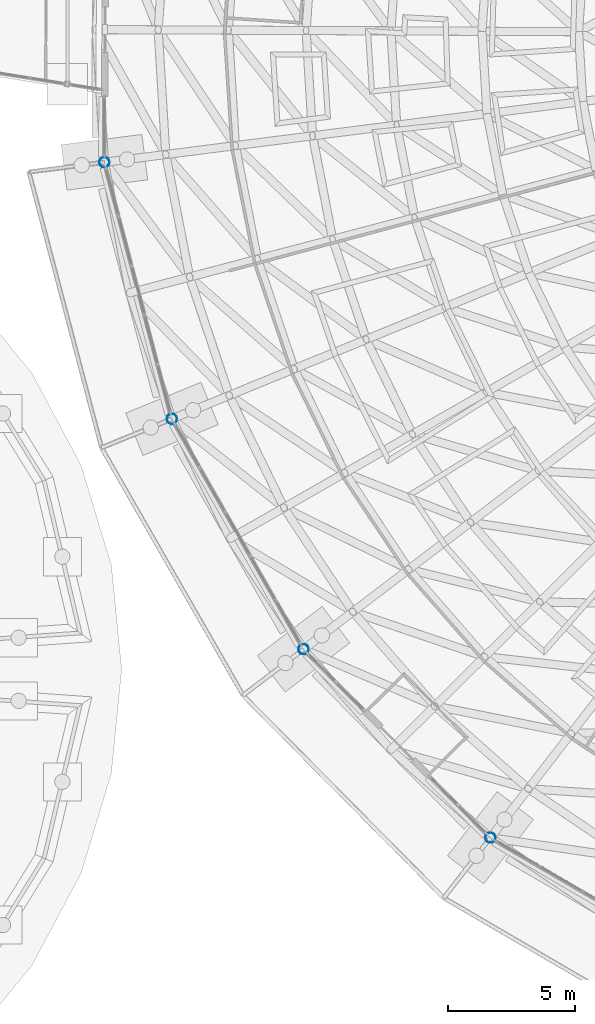
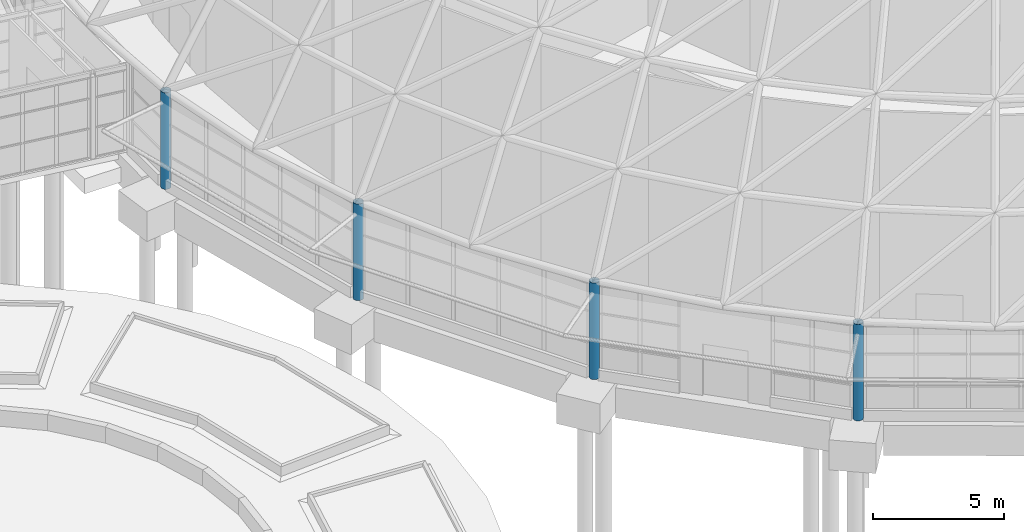
# One storey, part 24 of 226: 4 columns.
"""IFC4 building model written with IfcOpenShell, lengths in metres."""

import ifcopenshell
import ifcopenshell.guid

model = None  # the IFC model being written
_history = None  # IfcOwnerHistory: only IFC2X3 demands one
_inside = {}  # id of a spatial element -> (the spatial element, [elements in it])
_under = {}  # id of a project, library or spatial element -> (it, [spatial elements below it])
_declared = {}  # id of a project -> (the project, [libraries it declares])
_typed = {}  # id of a type object -> (the type object, [elements of that type])
_made_of = {}  # id of a material, layer set ... -> (it, [elements and type objects made of it])


def new_model(schema):
    """Start an empty IFC model of exactly this schema.

    Asked for "IFC4X3", IfcOpenShell would pick the latest addendum, in which some entities
    have other attributes; the version numbers below select the first issue.
    IFC2X3 requires an IfcOwnerHistory on every rooted entity: one is made here for all.
    """
    global model, _history
    if schema == "IFC4X3":
        model = ifcopenshell.file(schema_version=(4, 3, 0, 0))
    else:
        model = ifcopenshell.file(schema=schema)
    _inside.clear()
    _under.clear()
    _declared.clear()
    _typed.clear()
    _made_of.clear()
    _history = None
    if model.schema == "IFC2X3":
        org = make("IfcOrganization", Name="unknown")
        user = make(
            "IfcPersonAndOrganization",
            ThePerson=make("IfcPerson", FamilyName="unknown"),
            TheOrganization=org,
        )
        app = make(
            "IfcApplication",
            ApplicationDeveloper=org,
            Version="unknown",
            ApplicationFullName="unknown",
            ApplicationIdentifier="unknown",
        )
        _history = make(
            "IfcOwnerHistory",
            OwningUser=user,
            OwningApplication=app,
            ChangeAction="ADDED",
            CreationDate=0,
        )
    return model


def make(cls, **values):
    """One entity of the class cls with the attributes given. An attribute that is None is left unset."""
    return model.create_entity(
        cls, **{name: value for name, value in values.items() if value is not None}
    )


def rooted(cls, **values):
    """An entity with a GlobalId (a new one), such as an element, a storey or a relation."""
    return make(cls, GlobalId=ifcopenshell.guid.new(), OwnerHistory=_history, **values)


def si_unit(unit_type, name, prefix=None):
    """IfcSIUnit, for example si_unit("LENGTHUNIT", "METRE", prefix="MILLI")."""
    return make("IfcSIUnit", UnitType=unit_type, Prefix=prefix, Name=name)


def assignment(units):
    """IfcUnitAssignment: the units of a project."""
    return None if units is None else make("IfcUnitAssignment", Units=units)


def point(xyz):
    """IfcCartesianPoint."""
    return None if xyz is None else make("IfcCartesianPoint", Coordinates=xyz)


def direction(xyz):
    """IfcDirection."""
    return None if xyz is None else make("IfcDirection", DirectionRatios=xyz)


def frame(location, z_axis=None, x_axis=None):
    """IfcAxis2Placement3D, a coordinate frame: its origin and axes. An axis left out is left unset."""
    return make(
        "IfcAxis2Placement3D",
        Location=point(location),
        Axis=direction(z_axis),
        RefDirection=direction(x_axis),
    )


def frame_2d(location, x_axis=None):
    """IfcAxis2Placement2D, a coordinate frame in the plane: its origin and x axis."""
    return make(
        "IfcAxis2Placement2D", Location=point(location), RefDirection=direction(x_axis)
    )


def origin():
    """The frame at (0, 0, 0) with its axes left unset."""
    return frame((0.0, 0.0, 0.0))


def origin_2d():
    """The frame at (0, 0) in the plane with its x axis left unset."""
    return frame_2d((0.0, 0.0))


def place(relative_to, where):
    """IfcLocalPlacement: puts the frame where relative to a parent placement (None: the world)."""
    return make(
        "IfcLocalPlacement", PlacementRelTo=relative_to, RelativePlacement=where
    )


def context(
    kind, dimensions, precision=None, world=None, true_north=None, identifier=None
):
    """IfcGeometricRepresentationContext, for example the 3D "Model" context."""
    return make(
        "IfcGeometricRepresentationContext",
        ContextIdentifier=identifier,
        ContextType=kind,
        CoordinateSpaceDimension=dimensions,
        Precision=precision,
        WorldCoordinateSystem=world,
        TrueNorth=true_north,
    )


def subcontext(parent, identifier, kind, view, scale=None):
    """IfcGeometricRepresentationSubContext, for example "Body" below "Model"."""
    return make(
        "IfcGeometricRepresentationSubContext",
        ContextIdentifier=identifier,
        ContextType=kind,
        ParentContext=parent,
        TargetScale=scale,
        TargetView=view,
    )


def project(units=None, contexts=None):
    """IfcProject with its units and contexts."""
    return rooted(
        "IfcProject",
        Name="project",
        RepresentationContexts=contexts,
        UnitsInContext=assignment(units),
    )


def spatial(cls, under=None, at=None, **own):
    """A site, building, storey or space (cls), placed at a placement, below another one or the project."""
    s = rooted(cls, ObjectPlacement=at, **own)
    if under is not None:
        _under.setdefault(under.id(), (under, []))[1].append(s)
    return s


def profile(cls, at=None, kind="AREA", **sizes):
    """A parametric profile (cls). Its sizes go by their IFC names, for example OverallWidth=200.0."""
    return make(cls, ProfileType=kind, Position=at, **sizes)


def hollow_circle(**sizes):
    """IfcCircleHollowProfileDef."""
    return profile("IfcCircleHollowProfileDef", **sizes)


def extrude(swept, where, along, depth):
    """IfcExtrudedAreaSolid: the profile swept, set in the frame where, extruded along a direction by depth."""
    return make(
        "IfcExtrudedAreaSolid",
        SweptArea=swept,
        Position=where,
        ExtrudedDirection=direction(along),
        Depth=depth,
    )


def shape(context_of_items, identifier, shape_type, items):
    """IfcShapeRepresentation: the items that make up one representation, for example the "Body"."""
    return make(
        "IfcShapeRepresentation",
        ContextOfItems=context_of_items,
        RepresentationIdentifier=identifier,
        RepresentationType=shape_type,
        Items=items,
    )


def material(Name=None, Category=None):
    """IfcMaterial."""
    return make("IfcMaterial", Name=Name, Category=Category)


def material_profile(
    of_material, cross_section, Name=None, Category=None, Priority=None
):
    """IfcMaterialProfile: a cross section and its material."""
    return make(
        "IfcMaterialProfile",
        Name=Name,
        Material=of_material,
        Profile=cross_section,
        Priority=Priority,
        Category=Category,
    )


def profile_set(profiles, Name=None, composite=None):
    """IfcMaterialProfileSet."""
    return make(
        "IfcMaterialProfileSet",
        Name=Name,
        MaterialProfiles=profiles,
        CompositeProfile=composite,
    )


def made_of(thing, what):
    """Note that an element or type object is made of a material, layer set ...; save() writes the relation."""
    if what is not None:
        _made_of.setdefault(what.id(), (what, []))[1].append(thing)
    return thing


def type_object(cls, material=None, **own):
    """A type object (cls), such as IfcWallType, which elements share."""
    return made_of(rooted(cls, **own), material)


def element(
    cls,
    number,
    at=None,
    inside=None,
    cuts=None,
    type_object=None,
    material=None,
    context=None,
    identifier="Body",
    shape_type=None,
    held_by="IfcProductDefinitionShape",
    body=None,
    shapes=None,
    **own,
):
    """One element of the class cls, such as IfcWall. Its Tag is "e" and its number.

    at: its placement. inside: the storey or other place that contains it. cuts: it is an
    opening in that element (IfcRelVoidsElement). A single representation is given by context,
    identifier, shape_type and body (its items); several are given by shapes. held_by: the class
    of the entity that holds the representations. save() writes the other relations.
    """
    e = rooted(cls, Tag="e%d" % number, ObjectPlacement=at, **own)
    if body is not None:
        shapes = [shape(context, identifier, shape_type, body)]
    if shapes is not None:
        e.Representation = make(held_by, Representations=shapes)
    if inside is not None:
        _inside.setdefault(inside.id(), (inside, []))[1].append(e)
    if cuts is not None:
        rooted(
            "IfcRelVoidsElement", RelatingBuildingElement=cuts, RelatedOpeningElement=e
        )
    if type_object is not None:
        _typed.setdefault(type_object.id(), (type_object, []))[1].append(e)
    return made_of(e, material)


def aggregate(whole, parts):
    """IfcRelAggregates: a whole, such as a stair, and the parts it consists of."""
    return rooted("IfcRelAggregates", RelatingObject=whole, RelatedObjects=parts)


def save(model, path):
    """Write the relations noted so far, then the file.

    IfcRelAggregates (storeys below a building ...), IfcRelContainedInSpatialStructure (elements
    in a storey), IfcRelDefinesByType, IfcRelAssociatesMaterial and IfcRelDeclares: one each for
    every whole, place, type object, material and project.
    """
    for whole, parts in _under.values():
        aggregate(whole, parts)
    for where, things in _inside.values():
        rooted(
            "IfcRelContainedInSpatialStructure",
            RelatedElements=things,
            RelatingStructure=where,
        )
    for kind, things in _typed.values():
        rooted("IfcRelDefinesByType", RelatedObjects=things, RelatingType=kind)
    for what, things in _made_of.values():
        rooted("IfcRelAssociatesMaterial", RelatedObjects=things, RelatingMaterial=what)
    for by, libraries in _declared.values():
        rooted("IfcRelDeclares", RelatingContext=by, RelatedDefinitions=libraries)
    model.write(path)


model = new_model("IFC4")

# Units and contexts
model_context = context("Model", 3, precision=1e-05, world=origin(), true_north=direction((0.0, 1.0)))
body_context = subcontext(model_context, "Body", "Model", "MODEL_VIEW")
ifc_project = project(units=[si_unit("LENGTHUNIT", "METRE"), si_unit("AREAUNIT", "SQUARE_METRE"), si_unit("VOLUMEUNIT", "CUBIC_METRE"), si_unit("PLANEANGLEUNIT", "RADIAN"), si_unit("MASSUNIT", "GRAM", prefix="KILO")], contexts=[model_context])

# Site, building, storey
site_placement = place(None, origin())
site = spatial("IfcSite", under=ifc_project, at=site_placement, CompositionType="ELEMENT")
building_placement = place(site_placement, origin())
building = spatial("IfcBuilding", under=site, at=building_placement, Name="Ceibo Conservatory and Research Tower", CompositionType="ELEMENT")
storey_placement = place(building_placement, origin())
storey = spatial("IfcBuildingStorey", under=building, at=storey_placement, Name="L00", CompositionType="ELEMENT", Elevation=0.0)

# Columns
ifc_material = material(Name="Steel ASTM A500 Gr C", Category="steel")
ifc_material_profile = material_profile(ifc_material, hollow_circle(Radius=0.203125, WallThickness=0.0126953125, at=origin_2d()), Name="CHS column 406.4x12.70")
ifc_profile_set = profile_set([ifc_material_profile], Name="Steel ASTM A500 Gr C")
column_type = type_object("IfcColumnType", Name="CHS column 406.4x12.70", PredefinedType="COLUMN", material=ifc_profile_set)
for number, where, z_axis, x_axis, name in (
    (1, (116.31982421875, 102.9521484375, 0.0), (0.0, 0.0, 1.0), (1.0, 0.0, 0.0), "Drum column A-DC13"),
    (2, (118.978271484375, 92.85400390625, 0.0), (0.0, 0.0, 1.0), (1.0, 0.0, 0.0), "Drum column A-DC14"),
    (3, (124.159912109375, 83.788330078125, 0.0), (0.0, 0.0, 1.0), (1.0, 0.0, 0.0), "Drum column A-DC15"),
    (4, (131.51123046875, 76.372314453125, 0.0), (0.0, 0.0, 1.0), (1.0, 0.0, 0.0), "Drum column A-DC16"),
):
    element("IfcColumn", number, at=place(storey_placement, frame(where, z_axis=z_axis, x_axis=x_axis)), inside=storey, type_object=column_type, Name=name, PredefinedType="COLUMN", context=body_context, shape_type="SweptSolid", body=[
        extrude(hollow_circle(Radius=0.203125, WallThickness=0.0126953125, at=origin_2d()), origin(), (0.0, 0.0, 1.0), 4.5),
    ])

save(model, "model.ifc")
